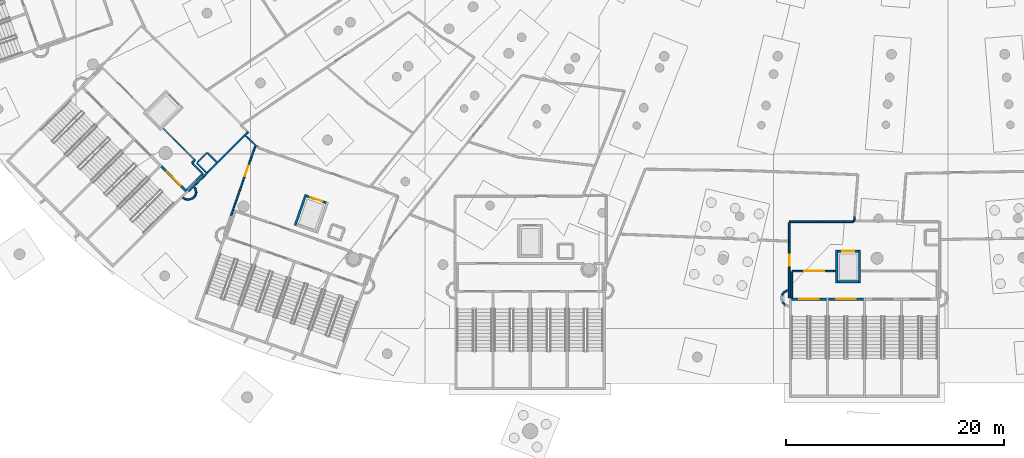
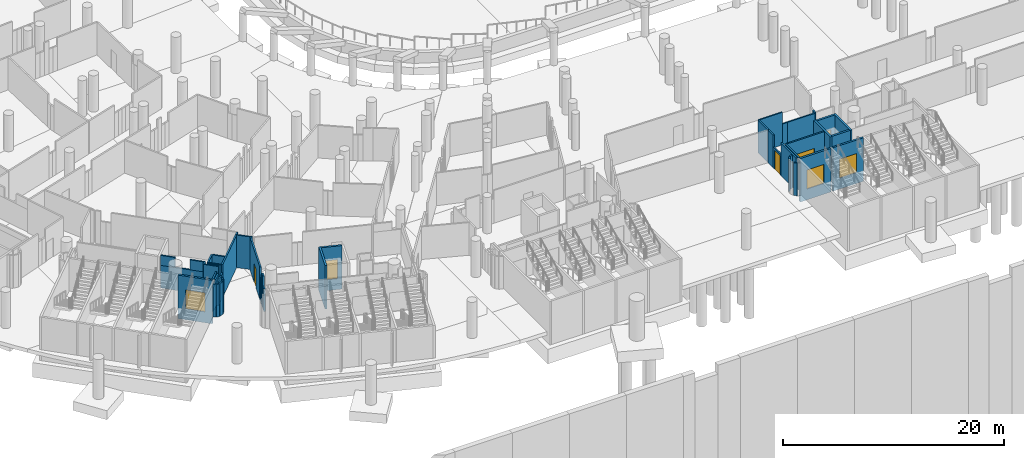
# One storey, part 40 of 142: 50 walls, 8 doors, 8 openings.
"""IFC4 building model written with IfcOpenShell, lengths in metres."""

import ifcopenshell
import ifcopenshell.guid

model = None  # the IFC model being written
_history = None  # IfcOwnerHistory: only IFC2X3 demands one
_inside = {}  # id of a spatial element -> (the spatial element, [elements in it])
_under = {}  # id of a project, library or spatial element -> (it, [spatial elements below it])
_declared = {}  # id of a project -> (the project, [libraries it declares])
_typed = {}  # id of a type object -> (the type object, [elements of that type])
_made_of = {}  # id of a material, layer set ... -> (it, [elements and type objects made of it])


def new_model(schema):
    """Start an empty IFC model of exactly this schema.

    Asked for "IFC4X3", IfcOpenShell would pick the latest addendum, in which some entities
    have other attributes; the version numbers below select the first issue.
    IFC2X3 requires an IfcOwnerHistory on every rooted entity: one is made here for all.
    """
    global model, _history
    if schema == "IFC4X3":
        model = ifcopenshell.file(schema_version=(4, 3, 0, 0))
    else:
        model = ifcopenshell.file(schema=schema)
    _inside.clear()
    _under.clear()
    _declared.clear()
    _typed.clear()
    _made_of.clear()
    _history = None
    if model.schema == "IFC2X3":
        org = make("IfcOrganization", Name="unknown")
        user = make(
            "IfcPersonAndOrganization",
            ThePerson=make("IfcPerson", FamilyName="unknown"),
            TheOrganization=org,
        )
        app = make(
            "IfcApplication",
            ApplicationDeveloper=org,
            Version="unknown",
            ApplicationFullName="unknown",
            ApplicationIdentifier="unknown",
        )
        _history = make(
            "IfcOwnerHistory",
            OwningUser=user,
            OwningApplication=app,
            ChangeAction="ADDED",
            CreationDate=0,
        )
    return model


def make(cls, **values):
    """One entity of the class cls with the attributes given. An attribute that is None is left unset."""
    return model.create_entity(
        cls, **{name: value for name, value in values.items() if value is not None}
    )


def rooted(cls, **values):
    """An entity with a GlobalId (a new one), such as an element, a storey or a relation."""
    return make(cls, GlobalId=ifcopenshell.guid.new(), OwnerHistory=_history, **values)


def si_unit(unit_type, name, prefix=None):
    """IfcSIUnit, for example si_unit("LENGTHUNIT", "METRE", prefix="MILLI")."""
    return make("IfcSIUnit", UnitType=unit_type, Prefix=prefix, Name=name)


def assignment(units):
    """IfcUnitAssignment: the units of a project."""
    return None if units is None else make("IfcUnitAssignment", Units=units)


def point(xyz):
    """IfcCartesianPoint."""
    return None if xyz is None else make("IfcCartesianPoint", Coordinates=xyz)


def direction(xyz):
    """IfcDirection."""
    return None if xyz is None else make("IfcDirection", DirectionRatios=xyz)


def frame(location, z_axis=None, x_axis=None):
    """IfcAxis2Placement3D, a coordinate frame: its origin and axes. An axis left out is left unset."""
    return make(
        "IfcAxis2Placement3D",
        Location=point(location),
        Axis=direction(z_axis),
        RefDirection=direction(x_axis),
    )


def frame_2d(location, x_axis=None):
    """IfcAxis2Placement2D, a coordinate frame in the plane: its origin and x axis."""
    return make(
        "IfcAxis2Placement2D", Location=point(location), RefDirection=direction(x_axis)
    )


def origin():
    """The frame at (0, 0, 0) with its axes left unset."""
    return frame((0.0, 0.0, 0.0))


def place(relative_to, where):
    """IfcLocalPlacement: puts the frame where relative to a parent placement (None: the world)."""
    return make(
        "IfcLocalPlacement", PlacementRelTo=relative_to, RelativePlacement=where
    )


def context(
    kind, dimensions, precision=None, world=None, true_north=None, identifier=None
):
    """IfcGeometricRepresentationContext, for example the 3D "Model" context."""
    return make(
        "IfcGeometricRepresentationContext",
        ContextIdentifier=identifier,
        ContextType=kind,
        CoordinateSpaceDimension=dimensions,
        Precision=precision,
        WorldCoordinateSystem=world,
        TrueNorth=true_north,
    )


def subcontext(parent, identifier, kind, view, scale=None):
    """IfcGeometricRepresentationSubContext, for example "Body" below "Model"."""
    return make(
        "IfcGeometricRepresentationSubContext",
        ContextIdentifier=identifier,
        ContextType=kind,
        ParentContext=parent,
        TargetScale=scale,
        TargetView=view,
    )


def project(units=None, contexts=None):
    """IfcProject with its units and contexts."""
    return rooted(
        "IfcProject",
        Name="project",
        RepresentationContexts=contexts,
        UnitsInContext=assignment(units),
    )


def spatial(cls, under=None, at=None, **own):
    """A site, building, storey or space (cls), placed at a placement, below another one or the project."""
    s = rooted(cls, ObjectPlacement=at, **own)
    if under is not None:
        _under.setdefault(under.id(), (under, []))[1].append(s)
    return s


def profile(cls, at=None, kind="AREA", **sizes):
    """A parametric profile (cls). Its sizes go by their IFC names, for example OverallWidth=200.0."""
    return make(cls, ProfileType=kind, Position=at, **sizes)


def rectangle(**sizes):
    """IfcRectangleProfileDef."""
    return profile("IfcRectangleProfileDef", **sizes)


def extrude(swept, where, along, depth):
    """IfcExtrudedAreaSolid: the profile swept, set in the frame where, extruded along a direction by depth."""
    return make(
        "IfcExtrudedAreaSolid",
        SweptArea=swept,
        Position=where,
        ExtrudedDirection=direction(along),
        Depth=depth,
    )


def shape(context_of_items, identifier, shape_type, items):
    """IfcShapeRepresentation: the items that make up one representation, for example the "Body"."""
    return make(
        "IfcShapeRepresentation",
        ContextOfItems=context_of_items,
        RepresentationIdentifier=identifier,
        RepresentationType=shape_type,
        Items=items,
    )


def material(Name=None, Category=None):
    """IfcMaterial."""
    return make("IfcMaterial", Name=Name, Category=Category)


def layer(
    of_material, thickness, ventilated=None, Name=None, Category=None, Priority=None
):
    """IfcMaterialLayer: one layer of a wall or slab, of a material (None: an air gap)."""
    return make(
        "IfcMaterialLayer",
        Material=of_material,
        LayerThickness=thickness,
        IsVentilated=ventilated,
        Name=Name,
        Category=Category,
        Priority=Priority,
    )


def layer_set(layers, Name=None):
    """IfcMaterialLayerSet."""
    return make("IfcMaterialLayerSet", MaterialLayers=layers, LayerSetName=Name)


def made_of(thing, what):
    """Note that an element or type object is made of a material, layer set ...; save() writes the relation."""
    if what is not None:
        _made_of.setdefault(what.id(), (what, []))[1].append(thing)
    return thing


def type_object(cls, material=None, **own):
    """A type object (cls), such as IfcWallType, which elements share."""
    return made_of(rooted(cls, **own), material)


def element(
    cls,
    number,
    at=None,
    inside=None,
    cuts=None,
    type_object=None,
    material=None,
    context=None,
    identifier="Body",
    shape_type=None,
    held_by="IfcProductDefinitionShape",
    body=None,
    shapes=None,
    **own,
):
    """One element of the class cls, such as IfcWall. Its Tag is "e" and its number.

    at: its placement. inside: the storey or other place that contains it. cuts: it is an
    opening in that element (IfcRelVoidsElement). A single representation is given by context,
    identifier, shape_type and body (its items); several are given by shapes. held_by: the class
    of the entity that holds the representations. save() writes the other relations.
    """
    e = rooted(cls, Tag="e%d" % number, ObjectPlacement=at, **own)
    if body is not None:
        shapes = [shape(context, identifier, shape_type, body)]
    if shapes is not None:
        e.Representation = make(held_by, Representations=shapes)
    if inside is not None:
        _inside.setdefault(inside.id(), (inside, []))[1].append(e)
    if cuts is not None:
        rooted(
            "IfcRelVoidsElement", RelatingBuildingElement=cuts, RelatedOpeningElement=e
        )
    if type_object is not None:
        _typed.setdefault(type_object.id(), (type_object, []))[1].append(e)
    return made_of(e, material)


def fill(opening, filler):
    """IfcRelFillsElement: the door or window that sits in an opening."""
    return rooted(
        "IfcRelFillsElement",
        RelatingOpeningElement=opening,
        RelatedBuildingElement=filler,
    )


def aggregate(whole, parts):
    """IfcRelAggregates: a whole, such as a stair, and the parts it consists of."""
    return rooted("IfcRelAggregates", RelatingObject=whole, RelatedObjects=parts)


def save(model, path):
    """Write the relations noted so far, then the file.

    IfcRelAggregates (storeys below a building ...), IfcRelContainedInSpatialStructure (elements
    in a storey), IfcRelDefinesByType, IfcRelAssociatesMaterial and IfcRelDeclares: one each for
    every whole, place, type object, material and project.
    """
    for whole, parts in _under.values():
        aggregate(whole, parts)
    for where, things in _inside.values():
        rooted(
            "IfcRelContainedInSpatialStructure",
            RelatedElements=things,
            RelatingStructure=where,
        )
    for kind, things in _typed.values():
        rooted("IfcRelDefinesByType", RelatedObjects=things, RelatingType=kind)
    for what, things in _made_of.values():
        rooted("IfcRelAssociatesMaterial", RelatedObjects=things, RelatingMaterial=what)
    for by, libraries in _declared.values():
        rooted("IfcRelDeclares", RelatingContext=by, RelatedDefinitions=libraries)
    model.write(path)


model = new_model("IFC4")

# Units and contexts
model_context = context("Model", 3, precision=1e-05, world=origin(), true_north=direction((0.0, 1.0)))
body_context = subcontext(model_context, "Body", "Model", "MODEL_VIEW")
ifc_project = project(units=[si_unit("LENGTHUNIT", "METRE"), si_unit("AREAUNIT", "SQUARE_METRE"), si_unit("VOLUMEUNIT", "CUBIC_METRE"), si_unit("PLANEANGLEUNIT", "RADIAN"), si_unit("MASSUNIT", "GRAM", prefix="KILO")], contexts=[model_context])

# Site, building, storey
site_placement = place(None, origin())
site = spatial("IfcSite", under=ifc_project, at=site_placement, CompositionType="ELEMENT")
building_placement = place(site_placement, origin())
building = spatial("IfcBuilding", under=site, at=building_placement, Name="Meseta Stadium", CompositionType="ELEMENT")
storey_placement = place(building_placement, frame((0.0, 0.0, -4.0)))
storey = spatial("IfcBuildingStorey", under=building, at=storey_placement, Name="B1", CompositionType="ELEMENT", Elevation=-4.0)

# Wall, opening, door
ifc_material_1 = material(Name="Concrete C40/50", Category="concrete")
ifc_layer_1 = layer(ifc_material_1, 0.199951171875)
ifc_layer_set_1 = layer_set([ifc_layer_1], Name="Core shaft wall 200")
wall_type_1 = type_object("IfcWallType", Name="Core shaft wall 200", PredefinedType="SHEAR", material=ifc_layer_set_1)
wall_1_placement = place(storey_placement, frame((-72.1630859375, -81.11279296875, -1.199951171875), z_axis=(0.0, 0.0, 1.0), x_axis=(0.707144925854, -0.707068634461, 0.0)))
wall_1 = element("IfcWall", 1, at=wall_1_placement, inside=storey, type_object=wall_type_1, Name="Core 21 B1 stair B2 inner end wall", PredefinedType="SHEAR", context=body_context, shape_type="SweptSolid", body=[
    extrude(rectangle(XDim=3.2001953125, YDim=0.199951171875, at=frame_2d((1.60009765625, 0.0))), origin(), (0.0, 0.0, 1.0), 4.800048828125),
])
opening_1_placement = place(wall_1_placement, frame((0.699951171875, 0.0, 1.199951171875)))
opening_1 = element("IfcOpeningElement", 2, at=opening_1_placement, cuts=wall_1, Name="Opening D284", PredefinedType="OPENING", context=body_context, shape_type="SweptSolid", body=[
    extrude(rectangle(XDim=1.800048828125, YDim=2.10009765625, at=frame_2d((0.89990234375, 1.050048828125))), frame((0.0, 0.10986328125, 0.0), z_axis=(0.0, -1.0, 0.0), x_axis=(1.0, 0.0, 0.0)), (0.0, 0.0, 1.0), 0.219970703125),
])
ifc_material_2 = material(Name="Steel", Category="steel")
door_type_1 = type_object("IfcDoorType", Name="Stair door 1800x2100", OperationType="DOUBLE_DOOR_SINGLE_SWING", PredefinedType="DOOR", material=ifc_material_2)
door_1_placement = place(opening_1_placement, origin())
door_1 = element("IfcDoor", 3, at=door_1_placement, inside=storey, type_object=door_type_1, Name="Stair B2 door 21 B1", OperationType="DOUBLE_DOOR_SINGLE_SWING", OverallHeight=2.10009765625, OverallWidth=1.800048828125, PredefinedType="DOOR", context=body_context, shape_type="SweptSolid", body=[
    extrude(rectangle(XDim=1.800048828125, YDim=2.10009765625, at=frame_2d((0.89990234375, 1.050048828125))), frame((0.0, 0.02490234375, 0.0), z_axis=(0.0, -1.0, 0.0), x_axis=(1.0, 0.0, 0.0)), (0.0, 0.0, 1.0), 0.050048828125),
])
fill(opening_1, door_1)

# Wall
wall_2_placement = place(storey_placement, frame((-59.896240234375, -86.53369140625, -1.199951171875), z_axis=(0.0, 0.0, 1.0), x_axis=(0.330328674497, 0.943865968666, 0.0)))
element("IfcWall", 4, at=wall_2_placement, inside=storey, type_object=wall_type_1, Name="Core 22 B1 lift shaft wall left", PredefinedType="SHEAR", context=body_context, shape_type="SweptSolid", body=[
    extrude(rectangle(XDim=3.0, YDim=0.199951171875, at=frame_2d((1.5, 0.0))), origin(), (0.0, 0.0, 1.0), 4.800048828125),
])

# Wall, opening, door
wall_3_placement = place(storey_placement, frame((-58.843994140625, -83.82958984375, -1.199951171875), z_axis=(0.0, 0.0, 1.0), x_axis=(0.943902418729, -0.330224505327, 0.0)))
wall_3 = element("IfcWall", 5, at=wall_3_placement, inside=storey, type_object=wall_type_1, Name="Core 22 B1 lift shaft front wall", PredefinedType="SHEAR", context=body_context, shape_type="SweptSolid", body=[
    extrude(rectangle(XDim=1.900146484375, YDim=0.199951171875, at=frame_2d((0.9501953125, 0.0))), origin(), (0.0, 0.0, 1.0), 4.800048828125),
])
opening_2_placement = place(wall_3_placement, frame((0.39990234375, 0.0, 1.199951171875)))
opening_2 = element("IfcOpeningElement", 6, at=opening_2_placement, cuts=wall_3, Name="Opening LD120", PredefinedType="OPENING", context=body_context, shape_type="SweptSolid", body=[
    extrude(rectangle(XDim=1.10009765625, YDim=2.10009765625, at=frame_2d((0.550048828125, 1.050048828125))), frame((0.0, 0.10986328125, 0.0), z_axis=(0.0, -1.0, 0.0), x_axis=(1.0, 0.0, 0.0)), (0.0, 0.0, 1.0), 0.219970703125),
])
ifc_material_3 = material(Name="Steel", Category="steel")
door_type_2 = type_object("IfcDoorType", Name="Lift landing door 1100x2100", OperationType="SLIDING_TO_LEFT", PredefinedType="DOOR", material=ifc_material_3)
door_2_placement = place(opening_2_placement, origin())
door_2 = element("IfcDoor", 7, at=door_2_placement, inside=storey, type_object=door_type_2, Name="Lift landing door LD120", OperationType="SLIDING_TO_RIGHT", OverallHeight=2.10009765625, OverallWidth=1.10009765625, PredefinedType="DOOR", context=body_context, shape_type="SweptSolid", body=[
    extrude(rectangle(XDim=1.10009765625, YDim=2.10009765625, at=frame_2d((0.550048828125, 1.050048828125))), frame((0.0, 0.02490234375, 0.0), z_axis=(0.0, -1.0, 0.0), x_axis=(1.0, 0.0, 0.0)), (0.0, 0.0, 1.0), 0.050048828125),
])
fill(opening_2, door_2)

wall_4_placement = place(storey_placement, frame((-14.36669921875, -93.300048828125, -1.199951171875), z_axis=(0.0, 0.0, 1.0), x_axis=(1.0, 0.0, 0.0)))
wall_4 = element("IfcWall", 8, at=wall_4_placement, inside=storey, type_object=wall_type_1, Name="Core 24 B1 stair A1 inner end wall", PredefinedType="SHEAR", context=body_context, shape_type="SweptSolid", body=[
    extrude(rectangle(XDim=3.199951171875, YDim=0.199951171875, at=frame_2d((1.60009765625, 0.0))), origin(), (0.0, 0.0, 1.0), 4.800048828125),
])
opening_3_placement = place(wall_4_placement, frame((0.699951171875, 0.0, 1.199951171875)))
opening_3 = element("IfcOpeningElement", 9, at=opening_3_placement, cuts=wall_4, Name="Opening D317", PredefinedType="OPENING", context=body_context, shape_type="SweptSolid", body=[
    extrude(rectangle(XDim=1.800048828125, YDim=2.10009765625, at=frame_2d((0.89990234375, 1.050048828125))), frame((0.0, 0.10986328125, 0.0), z_axis=(0.0, -1.0, 0.0), x_axis=(1.0, 0.0, 0.0)), (0.0, 0.0, 1.0), 0.219970703125),
])
door_3_placement = place(opening_3_placement, origin())
door_3 = element("IfcDoor", 10, at=door_3_placement, inside=storey, type_object=door_type_1, Name="Stair A1 door 24 B1", OperationType="DOUBLE_DOOR_SINGLE_SWING", OverallHeight=2.10009765625, OverallWidth=1.800048828125, PredefinedType="DOOR", context=body_context, shape_type="SweptSolid", body=[
    extrude(rectangle(XDim=1.800048828125, YDim=2.10009765625, at=frame_2d((0.89990234375, 1.050048828125))), frame((0.0, 0.02490234375, 0.0), z_axis=(0.0, -1.0, 0.0), x_axis=(1.0, 0.0, 0.0)), (0.0, 0.0, 1.0), 0.050048828125),
])
fill(opening_3, door_3)

wall_5_placement = place(storey_placement, frame((-10.966796875, -93.300048828125, -1.199951171875), z_axis=(0.0, 0.0, 1.0), x_axis=(1.0, 0.0, 0.0)))
wall_5 = element("IfcWall", 11, at=wall_5_placement, inside=storey, type_object=wall_type_1, Name="Core 24 B1 stair A2 inner end wall", PredefinedType="SHEAR", context=body_context, shape_type="SweptSolid", body=[
    extrude(rectangle(XDim=3.2001953125, YDim=0.199951171875, at=frame_2d((1.60009765625, 0.0))), origin(), (0.0, 0.0, 1.0), 4.800048828125),
])
opening_4_placement = place(wall_5_placement, frame((0.699951171875, 0.0, 1.199951171875)))
opening_4 = element("IfcOpeningElement", 12, at=opening_4_placement, cuts=wall_5, Name="Opening D318", PredefinedType="OPENING", context=body_context, shape_type="SweptSolid", body=[
    extrude(rectangle(XDim=1.800048828125, YDim=2.10009765625, at=frame_2d((0.89990234375, 1.050048828125))), frame((0.0, 0.10986328125, 0.0), z_axis=(0.0, -1.0, 0.0), x_axis=(1.0, 0.0, 0.0)), (0.0, 0.0, 1.0), 0.219970703125),
])
door_4_placement = place(opening_4_placement, origin())
door_4 = element("IfcDoor", 13, at=door_4_placement, inside=storey, type_object=door_type_1, Name="Stair A2 door 24 B1", OperationType="DOUBLE_DOOR_SINGLE_SWING", OverallHeight=2.10009765625, OverallWidth=1.800048828125, PredefinedType="DOOR", context=body_context, shape_type="SweptSolid", body=[
    extrude(rectangle(XDim=1.800048828125, YDim=2.10009765625, at=frame_2d((0.89990234375, 1.050048828125))), frame((0.0, 0.02490234375, 0.0), z_axis=(0.0, -1.0, 0.0), x_axis=(1.0, 0.0, 0.0)), (0.0, 0.0, 1.0), 0.050048828125),
])
fill(opening_4, door_4)

# Walls
for number, where, z_axis, x_axis, name in (
    (14, (-10.216796875, -91.800048828125, -1.199951171875), (0.0, 0.0, 1.0), (0.0, 1.0, 0.0), "Core 24 B1 lift shaft wall left"),
    (15, (-8.11669921875, -91.800048828125, -1.199951171875), (0.0, 0.0, 1.0), (0.0, 1.0, 0.0), "Core 24 B1 lift shaft wall right"),
):
    element("IfcWall", number, at=place(storey_placement, frame(where, z_axis=z_axis, x_axis=x_axis)), inside=storey, type_object=wall_type_1, Name=name, PredefinedType="SHEAR", context=body_context, shape_type="SweptSolid", body=[
        extrude(rectangle(XDim=3.0, YDim=0.199951171875, at=frame_2d((1.5, 0.0))), origin(), (0.0, 0.0, 1.0), 4.800048828125),
    ])
wall_6_placement = place(storey_placement, frame((-10.11669921875, -91.699951171875, -1.199951171875), z_axis=(0.0, 0.0, 1.0), x_axis=(1.0, 0.0, 0.0)))
element("IfcWall", 16, at=wall_6_placement, inside=storey, type_object=wall_type_1, Name="Core 24 B1 lift shaft back wall", PredefinedType="SHEAR", context=body_context, shape_type="SweptSolid", body=[
    extrude(rectangle(XDim=1.89990234375, YDim=0.199951171875, at=frame_2d((0.949951171875, 0.0))), origin(), (0.0, 0.0, 1.0), 4.800048828125),
])

# Wall, opening, door
wall_7_placement = place(storey_placement, frame((-10.11669921875, -88.89990234375, -1.199951171875), z_axis=(0.0, 0.0, 1.0), x_axis=(1.0, 0.0, 0.0)))
wall_7 = element("IfcWall", 17, at=wall_7_placement, inside=storey, type_object=wall_type_1, Name="Core 24 B1 lift shaft front wall", PredefinedType="SHEAR", context=body_context, shape_type="SweptSolid", body=[
    extrude(rectangle(XDim=1.89990234375, YDim=0.199951171875, at=frame_2d((0.949951171875, 0.0))), origin(), (0.0, 0.0, 1.0), 4.800048828125),
])
opening_5_placement = place(wall_7_placement, frame((0.39990234375, 0.0, 1.199951171875)))
opening_5 = element("IfcOpeningElement", 18, at=opening_5_placement, cuts=wall_7, Name="Opening LD129", PredefinedType="OPENING", context=body_context, shape_type="SweptSolid", body=[
    extrude(rectangle(XDim=1.10009765625, YDim=2.10009765625, at=frame_2d((0.550048828125, 1.050048828125))), frame((0.0, 0.10986328125, 0.0), z_axis=(0.0, -1.0, 0.0), x_axis=(1.0, 0.0, 0.0)), (0.0, 0.0, 1.0), 0.219970703125),
])
door_5_placement = place(opening_5_placement, origin())
door_5 = element("IfcDoor", 19, at=door_5_placement, inside=storey, type_object=door_type_2, Name="Lift landing door LD129", OperationType="SLIDING_TO_LEFT", OverallHeight=2.10009765625, OverallWidth=1.10009765625, PredefinedType="DOOR", context=body_context, shape_type="SweptSolid", body=[
    extrude(rectangle(XDim=1.10009765625, YDim=2.10009765625, at=frame_2d((0.550048828125, 1.050048828125))), frame((0.0, 0.02490234375, 0.0), z_axis=(0.0, -1.0, 0.0), x_axis=(1.0, 0.0, 0.0)), (0.0, 0.0, 1.0), 0.050048828125),
])
fill(opening_5, door_5)

# Walls
ifc_material_4 = material(Name="Masonry blockwork", Category="masonry")
ifc_layer_2 = layer(ifc_material_4, 0.14990234375)
ifc_layer_set_2 = layer_set([ifc_layer_2], Name="Partition 150")
wall_type_2 = type_object("IfcWallType", Name="Partition 150", PredefinedType="PARTITIONING", material=ifc_layer_set_2)
wall_8_placement = place(storey_placement, frame((-63.396240234375, -79.296630859375, 0.0), z_axis=(0.0, 0.0, 1.0), x_axis=(-0.725626624964, 0.688088657909, 0.0)))
element("IfcWall", 20, at=wall_8_placement, inside=storey, type_object=wall_type_2, Name="Partition B1 B1-cell20-2-0", PredefinedType="PARTITIONING", context=body_context, shape_type="SweptSolid", body=[
    extrude(rectangle(XDim=1.515380859375, YDim=0.14990234375, at=frame_2d((0.7578125, 0.0))), origin(), (0.0, 0.0, 1.0), 3.60009765625),
])
wall_9_placement = place(storey_placement, frame((-64.495849609375, -78.25390625, 0.0), z_axis=(0.0, 0.0, 1.0), x_axis=(0.706798874946, 0.707414553409, 0.0)))
element("IfcWall", 21, at=wall_9_placement, inside=storey, type_object=wall_type_2, Name="Partition B1 B1-cell20-2-0", PredefinedType="PARTITIONING", context=body_context, shape_type="SweptSolid", body=[
    extrude(rectangle(XDim=0.396484375, YDim=0.14990234375, at=frame_2d((0.1982421875, 0.0))), origin(), (0.0, 0.0, 1.0), 3.60009765625),
])
wall_10_placement = place(storey_placement, frame((-69.659912109375, -83.41796875, 0.0), z_axis=(0.0, 0.0, 1.0), x_axis=(0.706980568466, 0.707232971383, 0.0)))
element("IfcWall", 22, at=wall_10_placement, inside=storey, type_object=wall_type_2, Name="Partition B1 B1-cell20-3-0", PredefinedType="PARTITIONING", context=body_context, shape_type="SweptSolid", body=[
    extrude(rectangle(XDim=0.96728515625, YDim=0.14990234375, at=frame_2d((0.483642578125, 0.0))), origin(), (0.0, 0.0, 1.0), 3.60009765625),
])
wall_11_placement = place(storey_placement, frame((-68.97607421875, -82.73388671875, 0.0), z_axis=(0.0, 0.0, 1.0), x_axis=(0.707359184083, 0.706854288163, 0.0)))
element("IfcWall", 23, at=wall_11_placement, inside=storey, type_object=wall_type_2, Name="Partition B1 B1-cell20-3-0", PredefinedType="PARTITIONING", context=body_context, shape_type="SweptSolid", body=[
    extrude(rectangle(XDim=0.483642578125, YDim=0.14990234375, at=frame_2d((0.24169921875, 0.0))), origin(), (0.0, 0.0, 1.0), 2.699951171875),
])
wall_12_placement = place(storey_placement, frame((-68.634033203125, -82.39208984375, 0.0), z_axis=(0.0, 0.0, 1.0), x_axis=(0.707106781187, 0.707106781187, 0.0)))
element("IfcWall", 24, at=wall_12_placement, inside=storey, type_object=wall_type_2, Name="Partition B1 B1-cell20-3-0", PredefinedType="PARTITIONING", context=body_context, shape_type="SweptSolid", body=[
    extrude(rectangle(XDim=0.4833984375, YDim=0.14990234375, at=frame_2d((0.24169921875, 0.0))), origin(), (0.0, 0.0, 1.0), 2.699951171875),
])
wall_13_placement = place(storey_placement, frame((-68.292236328125, -82.05029296875, 0.0), z_axis=(0.0, 0.0, 1.0), x_axis=(0.707106781187, 0.707106781187, 0.0)))
element("IfcWall", 25, at=wall_13_placement, inside=storey, type_object=wall_type_2, Name="Partition B1 B1-cell20-3-0", PredefinedType="PARTITIONING", context=body_context, shape_type="SweptSolid", body=[
    extrude(rectangle(XDim=0.483642578125, YDim=0.14990234375, at=frame_2d((0.24169921875, 0.0))), origin(), (0.0, 0.0, 1.0), 2.699951171875),
])
wall_14_placement = place(storey_placement, frame((-67.9501953125, -81.708251953125, 0.0), z_axis=(0.0, 0.0, 1.0), x_axis=(0.707106781187, 0.707106781187, 0.0)))
element("IfcWall", 26, at=wall_14_placement, inside=storey, type_object=wall_type_2, Name="Partition B1 B1-cell20-3-0", PredefinedType="PARTITIONING", context=body_context, shape_type="SweptSolid", body=[
    extrude(rectangle(XDim=4.835205078125, YDim=0.14990234375, at=frame_2d((2.41748046875, 0.0))), origin(), (0.0, 0.0, 1.0), 3.60009765625),
])

# Wall, opening, door
wall_15_placement = place(storey_placement, frame((-63.53857421875, -79.230712890625, 0.0), z_axis=(0.0, 0.0, 1.0), x_axis=(-0.330262441411, -0.943889145924, 0.0)))
wall_15 = element("IfcWall", 27, at=wall_15_placement, inside=storey, type_object=wall_type_2, Name="Partition B1 B1-cell20-3-0", PredefinedType="PARTITIONING", context=body_context, shape_type="SweptSolid", body=[
    extrude(rectangle(XDim=4.820556640625, YDim=0.14990234375, at=frame_2d((2.41015625, 0.0))), origin(), (0.0, 0.0, 1.0), 3.60009765625),
])
opening_6_placement = place(wall_15_placement, frame((1.949951171875, 0.0, 0.0)))
opening_6 = element("IfcOpeningElement", 28, at=opening_6_placement, cuts=wall_15, Name="Opening D493", PredefinedType="OPENING", context=body_context, shape_type="SweptSolid", body=[
    extrude(rectangle(XDim=1.0, YDim=2.10009765625, at=frame_2d((0.5, 1.050048828125))), frame((0.0, 0.0849609375, 0.0), z_axis=(0.0, -1.0, 0.0), x_axis=(1.0, 0.0, 0.0)), (0.0, 0.0, 1.0), 0.169921875),
])
ifc_material_5 = material(Name="Steel", Category="steel")
door_type_3 = type_object("IfcDoorType", Name="Fire door 1000x2100 EI2 60", OperationType="NOTDEFINED", PredefinedType="DOOR", material=ifc_material_5)
door_6_placement = place(opening_6_placement, origin())
door_6 = element("IfcDoor", 29, at=door_6_placement, inside=storey, type_object=door_type_3, Name="Door D493", OperationType="SINGLE_SWING_LEFT", OverallHeight=2.10009765625, OverallWidth=1.0, PredefinedType="DOOR", context=body_context, shape_type="SweptSolid", body=[
    extrude(rectangle(XDim=1.0, YDim=2.10009765625, at=frame_2d((0.5, 1.050048828125))), frame((0.0, 0.02490234375, 0.0), z_axis=(0.0, -1.0, 0.0), x_axis=(1.0, 0.0, 0.0)), (0.0, 0.0, 1.0), 0.050048828125),
])
fill(opening_6, door_6)

# Walls
for number, where, z_axis, x_axis, name in (
    (30, (-65.130615234375, -83.78076171875, 0.0), (0.0, 0.0, 1.0), (-0.330169965897, -0.943921497594, 0.0), "Partition B1 B1-cell20-3-0"),
    (31, (-65.289794921875, -84.23583984375, 0.0), (0.0, 0.0, 1.0), (-0.330621045059, -0.943763595698, 0.0), "Partition B1 B1-cell20-3-0"),
):
    element("IfcWall", number, at=place(storey_placement, frame(where, z_axis=z_axis, x_axis=x_axis)), inside=storey, type_object=wall_type_2, Name=name, PredefinedType="PARTITIONING", context=body_context, shape_type="SweptSolid", body=[
        extrude(rectangle(XDim=0.482177734375, YDim=0.14990234375, at=frame_2d((0.2412109375, 0.0))), origin(), (0.0, 0.0, 1.0), 2.699951171875),
    ])
wall_16_placement = place(storey_placement, frame((-65.44921875, -84.69091796875, 0.0), z_axis=(0.0, 0.0, 1.0), x_axis=(-0.330327857248, -0.943866254681, 0.0)))
element("IfcWall", 32, at=wall_16_placement, inside=storey, type_object=wall_type_2, Name="Partition B1 B1-cell20-3-0", PredefinedType="PARTITIONING", context=body_context, shape_type="SweptSolid", body=[
    extrude(rectangle(XDim=0.48193359375, YDim=0.14990234375, at=frame_2d((0.240966796875, 0.0))), origin(), (0.0, 0.0, 1.0), 3.60009765625),
])
wall_17_placement = place(storey_placement, frame((-65.6083984375, -85.145751953125, 0.0), z_axis=(0.0, 0.0, 1.0), x_axis=(-0.330169965897, -0.943921497594, 0.0)))
element("IfcWall", 33, at=wall_17_placement, inside=storey, type_object=wall_type_2, Name="Partition B1 B1-cell20-3-0", PredefinedType="PARTITIONING", context=body_context, shape_type="SweptSolid", body=[
    extrude(rectangle(XDim=0.482177734375, YDim=0.14990234375, at=frame_2d((0.2412109375, 0.0))), origin(), (0.0, 0.0, 1.0), 2.5),
])
wall_18_placement = place(storey_placement, frame((-8.58154296875, -85.71923828125, 0.0), z_axis=(0.0, 0.0, 1.0), x_axis=(-0.078980538678, -0.996876158061, 0.0)))
element("IfcWall", 34, at=wall_18_placement, inside=storey, type_object=wall_type_2, Name="Partition B1 B1-cell22-1-0", PredefinedType="PARTITIONING", context=body_context, shape_type="SweptSolid", body=[
    extrude(rectangle(XDim=0.482177734375, YDim=0.14990234375, at=frame_2d((0.2412109375, 0.0))), origin(), (0.0, 0.0, 1.0), 2.300048828125),
])
wall_19_placement = place(storey_placement, frame((-8.69482421875, -86.199951171875, 0.0), z_axis=(0.0, 0.0, 1.0), x_axis=(-1.0, 0.0, 0.0)))
element("IfcWall", 35, at=wall_19_placement, inside=storey, type_object=wall_type_2, Name="Partition B1 B1-cell22-1-0", PredefinedType="PARTITIONING", context=body_context, shape_type="SweptSolid", body=[
    extrude(rectangle(XDim=2.898193359375, YDim=0.14990234375, at=frame_2d((1.44921875, 0.0))), origin(), (0.0, 0.0, 1.0), 2.300048828125),
])
wall_20_placement = place(storey_placement, frame((-11.593017578125, -86.199951171875, 0.0), z_axis=(0.0, 0.0, 1.0), x_axis=(-1.0, 0.0, 0.0)))
element("IfcWall", 36, at=wall_20_placement, inside=storey, type_object=wall_type_2, Name="Partition B1 B1-cell22-1-0", PredefinedType="PARTITIONING", context=body_context, shape_type="SweptSolid", body=[
    extrude(rectangle(XDim=0.49560546875, YDim=0.14990234375, at=frame_2d((0.247802734375, 0.0))), origin(), (0.0, 0.0, 1.0), 2.300048828125),
])
wall_21_placement = place(storey_placement, frame((-12.088623046875, -86.199951171875, 0.0), z_axis=(0.0, 0.0, 1.0), x_axis=(-1.0, 0.0, 0.0)))
element("IfcWall", 37, at=wall_21_placement, inside=storey, type_object=wall_type_2, Name="Partition B1 B1-cell22-1-0", PredefinedType="PARTITIONING", context=body_context, shape_type="SweptSolid", body=[
    extrude(rectangle(XDim=2.47802734375, YDim=0.14990234375, at=frame_2d((1.239013671875, 0.0))), origin(), (0.0, 0.0, 1.0), 3.60009765625),
])
wall_22_placement = place(storey_placement, frame((-14.566650390625, -86.27490234375, 0.0), z_axis=(0.0, 0.0, 1.0), x_axis=(0.0, -1.0, 0.0)))
element("IfcWall", 38, at=wall_22_placement, inside=storey, type_object=wall_type_2, Name="Partition B1 B1-cell22-1-0", PredefinedType="PARTITIONING", context=body_context, shape_type="SweptSolid", body=[
    extrude(rectangle(XDim=1.713623046875, YDim=0.14990234375, at=frame_2d((0.85693359375, 0.0))), origin(), (0.0, 0.0, 1.0), 3.60009765625),
])
wall_23_placement = place(storey_placement, frame((-14.566650390625, -88.03857421875, 0.0), z_axis=(0.0, 0.0, 1.0), x_axis=(0.0, -1.0, 0.0)))
element("IfcWall", 39, at=wall_23_placement, inside=storey, type_object=wall_type_2, Name="Partition B1 B1-cell22-2-0", PredefinedType="PARTITIONING", context=body_context, shape_type="SweptSolid", body=[
    extrude(rectangle(XDim=0.93115234375, YDim=0.14990234375, at=frame_2d((0.465576171875, 0.0))), origin(), (0.0, 0.0, 1.0), 3.60009765625),
])

# Wall, opening, door
wall_24_placement = place(storey_placement, frame((-14.566650390625, -88.9697265625, 0.0), z_axis=(0.0, 0.0, 1.0), x_axis=(0.0, -1.0, 0.0)))
wall_24 = element("IfcWall", 40, at=wall_24_placement, inside=storey, type_object=wall_type_2, Name="Partition B1 B1-cell22-2-0", PredefinedType="PARTITIONING", context=body_context, shape_type="SweptSolid", body=[
    extrude(rectangle(XDim=1.396728515625, YDim=0.14990234375, at=frame_2d((0.6982421875, 0.0))), origin(), (0.0, 0.0, 1.0), 2.300048828125),
])
opening_7_placement = place(wall_24_placement, frame((0.25, 0.0, 0.0)))
opening_7 = element("IfcOpeningElement", 41, at=opening_7_placement, cuts=wall_24, Name="Opening D498", PredefinedType="OPENING", context=body_context, shape_type="SweptSolid", body=[
    extrude(rectangle(XDim=1.0, YDim=2.10009765625, at=frame_2d((0.5, 1.050048828125))), frame((0.0, 0.0849609375, 0.0), z_axis=(0.0, -1.0, 0.0), x_axis=(1.0, 0.0, 0.0)), (0.0, 0.0, 1.0), 0.169921875),
])
door_7_placement = place(opening_7_placement, origin())
door_7 = element("IfcDoor", 42, at=door_7_placement, inside=storey, type_object=door_type_3, Name="Door D498", OperationType="SINGLE_SWING_LEFT", OverallHeight=2.10009765625, OverallWidth=1.0, PredefinedType="DOOR", context=body_context, shape_type="SweptSolid", body=[
    extrude(rectangle(XDim=1.0, YDim=2.10009765625, at=frame_2d((0.5, 1.050048828125))), frame((0.0, 0.02490234375, 0.0), z_axis=(0.0, -1.0, 0.0), x_axis=(1.0, 0.0, 0.0)), (0.0, 0.0, 1.0), 0.050048828125),
])
fill(opening_7, door_7)

# Walls
wall_25_placement = place(storey_placement, frame((-14.566650390625, -90.366455078125, 0.0), z_axis=(0.0, 0.0, 1.0), x_axis=(0.0, -1.0, 0.0)))
element("IfcWall", 43, at=wall_25_placement, inside=storey, type_object=wall_type_2, Name="Partition B1 B1-cell22-2-0", PredefinedType="PARTITIONING", context=body_context, shape_type="SweptSolid", body=[
    extrude(rectangle(XDim=2.79345703125, YDim=0.14990234375, at=frame_2d((1.396728515625, 0.0))), origin(), (0.0, 0.0, 1.0), 3.60009765625),
])
wall_26_placement = place(storey_placement, frame((-68.917724609375, -80.802001953125, 0.0), z_axis=(0.0, 0.0, 1.0), x_axis=(0.707106781187, -0.707106781187, 0.0)))
element("IfcWall", 44, at=wall_26_placement, inside=storey, type_object=wall_type_2, Name="Pressurisation shaft wall B1 core 21", PredefinedType="PARTITIONING", context=body_context, shape_type="SweptSolid", body=[
    extrude(rectangle(XDim=1.248779296875, YDim=0.14990234375, at=frame_2d((0.62451171875, 0.0))), origin(), (0.0, 0.0, 1.0), 3.60009765625),
])
wall_27_placement = place(storey_placement, frame((-67.080078125, -80.73046875, 0.0), z_axis=(0.0, 0.0, 1.0), x_axis=(-0.707106781187, 0.707106781187, 0.0)))
element("IfcWall", 45, at=wall_27_placement, inside=storey, type_object=wall_type_2, Name="Pressurisation shaft wall B1 core 21", PredefinedType="PARTITIONING", context=body_context, shape_type="SweptSolid", body=[
    extrude(rectangle(XDim=1.173828125, YDim=0.14990234375, at=frame_2d((0.5869140625, 0.0))), origin(), (0.0, 0.0, 1.0), 3.60009765625),
])
wall_28_placement = place(storey_placement, frame((-67.963134765625, -79.847412109375, 0.0), z_axis=(0.0, 0.0, 1.0), x_axis=(-0.707202523759, -0.707011025648, 0.0)))
element("IfcWall", 46, at=wall_28_placement, inside=storey, type_object=wall_type_2, Name="Pressurisation shaft wall B1 core 21", PredefinedType="PARTITIONING", context=body_context, shape_type="SweptSolid", body=[
    extrude(rectangle(XDim=1.27490234375, YDim=0.14990234375, at=frame_2d((0.637451171875, 0.0))), origin(), (0.0, 0.0, 1.0), 3.60009765625),
])
wall_29_placement = place(storey_placement, frame((-69.840087890625, -83.27978515625, 0.0), z_axis=(0.0, 0.0, 1.0), x_axis=(0.707164790685, 0.707048766929, 0.0)))
element("IfcWall", 47, at=wall_29_placement, inside=storey, type_object=wall_type_2, Name="Stair vestibule wall B1 core 21", PredefinedType="PARTITIONING", context=body_context, shape_type="SweptSolid", body=[
    extrude(rectangle(XDim=2.104248046875, YDim=0.14990234375, at=frame_2d((1.05224609375, 0.0))), origin(), (0.0, 0.0, 1.0), 2.699951171875),
])
wall_30_placement = place(storey_placement, frame((-69.840087890625, -83.27978515625, 2.699951171875), z_axis=(0.0, 0.0, 1.0), x_axis=(0.707203466327, 0.707010082825, 0.0)))
element("IfcWall", 48, at=wall_30_placement, inside=storey, type_object=wall_type_2, Name="Stair vestibule wall B1 core 21", PredefinedType="PARTITIONING", context=body_context, shape_type="SweptSolid", body=[
    extrude(rectangle(XDim=1.262451171875, YDim=0.14990234375, at=frame_2d((0.63134765625, 0.0))), origin(), (0.0, 0.0, 1.0), 0.900146484375),
])
wall_31_placement = place(storey_placement, frame((-68.35205078125, -81.7919921875, 0.0), z_axis=(0.0, 0.0, 1.0), x_axis=(-0.707019554051, 0.707193997563, 0.0)))
element("IfcWall", 49, at=wall_31_placement, inside=storey, type_object=wall_type_2, Name="Stair vestibule wall B1 core 21", PredefinedType="PARTITIONING", context=body_context, shape_type="SweptSolid", body=[
    extrude(rectangle(XDim=1.399658203125, YDim=0.14990234375, at=frame_2d((0.69970703125, 0.0))), origin(), (0.0, 0.0, 1.0), 3.60009765625),
])
wall_32_placement = place(storey_placement, frame((-69.341552734375, -80.80224609375, 0.0), z_axis=(0.0, 0.0, 1.0), x_axis=(0.705750875464, 0.708460091877, 0.0)))
element("IfcWall", 50, at=wall_32_placement, inside=storey, type_object=wall_type_2, Name="Stair vestibule wall B1 core 21", PredefinedType="PARTITIONING", context=body_context, shape_type="SweptSolid", body=[
    extrude(rectangle(XDim=0.3603515625, YDim=0.14990234375, at=frame_2d((0.18017578125, 0.0))), origin(), (0.0, 0.0, 1.0), 3.60009765625),
])
wall_33_placement = place(storey_placement, frame((-69.087158203125, -80.546875, 0.0), z_axis=(0.0, 0.0, 1.0), x_axis=(-0.707077113823, 0.707136447306, 0.0)))
element("IfcWall", 51, at=wall_33_placement, inside=storey, type_object=wall_type_2, Name="Stair vestibule wall B1 core 21", PredefinedType="PARTITIONING", context=body_context, shape_type="SweptSolid", body=[
    extrude(rectangle(XDim=4.11474609375, YDim=0.14990234375, at=frame_2d((2.057373046875, 0.0))), origin(), (0.0, 0.0, 1.0), 2.5),
])
for number, where, z_axis, x_axis, name in (
    (52, (-69.087158203125, -80.546875, 2.5), (0.0, 0.0, 1.0), (-0.707017775362, 0.707195775809, 0.0), "Stair vestibule wall B1 core 21"),
    (53, (-71.02685546875, -78.607177734375, 2.5), (0.0, 0.0, 1.0), (-0.707017775362, 0.707195775809, 0.0), "Stair vestibule wall B1 core 21"),
):
    element("IfcWall", number, at=place(storey_placement, frame(where, z_axis=z_axis, x_axis=x_axis)), inside=storey, type_object=wall_type_2, Name=name, PredefinedType="PARTITIONING", context=body_context, shape_type="SweptSolid", body=[
        extrude(rectangle(XDim=1.37158203125, YDim=0.14990234375, at=frame_2d((0.685791015625, 0.0))), origin(), (0.0, 0.0, 1.0), 1.10009765625),
    ])
wall_34_placement = place(storey_placement, frame((-70.18408203125, -83.982177734375, 0.0), z_axis=(0.0, 0.0, 1.0), x_axis=(0.850648487644, -0.525734867085, 0.0)))
element("IfcWall", 54, at=wall_34_placement, inside=storey, type_object=wall_type_2, Name="Stair vestibule wall B1 core 21", PredefinedType="PARTITIONING", context=body_context, shape_type="SweptSolid", body=[
    extrude(rectangle(XDim=0.2578125, YDim=0.14990234375, at=frame_2d((0.12890625, 0.0))), origin(), (0.0, 0.0, 1.0), 3.60009765625),
])
wall_35_placement = place(storey_placement, frame((-69.96484375, -84.11767578125, 0.0), z_axis=(0.0, 0.0, 1.0), x_axis=(0.9808082431, -0.194974845214, 0.0)))
element("IfcWall", 55, at=wall_35_placement, inside=storey, type_object=wall_type_2, Name="Stair vestibule wall B1 core 21", PredefinedType="PARTITIONING", context=body_context, shape_type="SweptSolid", body=[
    extrude(rectangle(XDim=0.2880859375, YDim=0.14990234375, at=frame_2d((0.14404296875, 0.0))), origin(), (0.0, 0.0, 1.0), 3.60009765625),
])
wall_36_placement = place(storey_placement, frame((-69.682373046875, -84.173828125, 0.0), z_axis=(0.0, 0.0, 1.0), x_axis=(0.941476660656, 0.337078177044, 0.0)))
element("IfcWall", 56, at=wall_36_placement, inside=storey, type_object=wall_type_2, Name="Stair vestibule wall B1 core 21", PredefinedType="PARTITIONING", context=body_context, shape_type="SweptSolid", body=[
    extrude(rectangle(XDim=0.4794921875, YDim=0.14990234375, at=frame_2d((0.23974609375, 0.0))), origin(), (0.0, 0.0, 1.0), 3.60009765625),
])
for number, where, z_axis, x_axis, name in (
    (57, (-69.23095703125, -84.01220703125, 0.0), (0.0, 0.0, 1.0), (0.634523472845, 0.772903591923, 0.0), "Stair vestibule wall B1 core 21"),
    (58, (-69.04736328125, -83.78857421875, 0.0), (0.0, 0.0, 1.0), (0.290288433444, 0.956939196296, 0.0), "Stair vestibule wall B1 core 21"),
):
    element("IfcWall", number, at=place(storey_placement, frame(where, z_axis=z_axis, x_axis=x_axis)), inside=storey, type_object=wall_type_2, Name=name, PredefinedType="PARTITIONING", context=body_context, shape_type="SweptSolid", body=[
        extrude(rectangle(XDim=0.289306640625, YDim=0.14990234375, at=frame_2d((0.14453125, 0.0))), origin(), (0.0, 0.0, 1.0), 3.60009765625),
    ])
wall_37_placement = place(storey_placement, frame((-68.96337890625, -83.51171875, 0.0), z_axis=(0.0, 0.0, 1.0), x_axis=(-0.244371491545, 0.969681687009, 0.0)))
element("IfcWall", 59, at=wall_37_placement, inside=storey, type_object=wall_type_2, Name="Stair vestibule wall B1 core 21", PredefinedType="PARTITIONING", context=body_context, shape_type="SweptSolid", body=[
    extrude(rectangle(XDim=0.50048828125, YDim=0.14990234375, at=frame_2d((0.250244140625, 0.0))), origin(), (0.0, 0.0, 1.0), 3.60009765625),
])
wall_38_placement = place(storey_placement, frame((-14.341796875, -90.760009765625, 0.0), z_axis=(0.0, 0.0, 1.0), x_axis=(0.0, -1.0, 0.0)))
element("IfcWall", 60, at=wall_38_placement, inside=storey, type_object=wall_type_2, Name="Stair vestibule wall B1 core 24", PredefinedType="PARTITIONING", context=body_context, shape_type="SweptSolid", body=[
    extrude(rectangle(XDim=2.429931640625, YDim=0.14990234375, at=frame_2d((1.21484375, 0.0))), origin(), (0.0, 0.0, 1.0), 3.60009765625),
])

# Wall, opening, door
wall_39_placement = place(storey_placement, frame((-10.32666015625, -90.72509765625, 0.0), z_axis=(0.0, 0.0, 1.0), x_axis=(-1.0, 0.0, 0.0)))
wall_39 = element("IfcWall", 61, at=wall_39_placement, inside=storey, type_object=wall_type_2, Name="Stair vestibule wall B1 core 24", PredefinedType="PARTITIONING", context=body_context, shape_type="SweptSolid", body=[
    extrude(rectangle(XDim=3.97998046875, YDim=0.14990234375, at=frame_2d((1.989990234375, 0.0))), origin(), (0.0, 0.0, 1.0), 3.60009765625),
])
opening_8_placement = place(wall_39_placement, frame((1.050048828125, 0.0, 0.0)))
opening_8 = element("IfcOpeningElement", 62, at=opening_8_placement, cuts=wall_39, Name="Opening D738", PredefinedType="OPENING", context=body_context, shape_type="SweptSolid", body=[
    extrude(rectangle(XDim=1.800048828125, YDim=2.10009765625, at=frame_2d((0.89990234375, 1.050048828125))), frame((0.0, 0.0849609375, 0.0), z_axis=(0.0, -1.0, 0.0), x_axis=(1.0, 0.0, 0.0)), (0.0, 0.0, 1.0), 0.169921875),
])
ifc_material_6 = material(Name="Steel", Category="steel")
door_type_4 = type_object("IfcDoorType", Name="Fire double door 1800x2100 EI2 60", OperationType="DOUBLE_DOOR_SINGLE_SWING", PredefinedType="DOOR", material=ifc_material_6)
door_8_placement = place(opening_8_placement, origin())
door_8 = element("IfcDoor", 63, at=door_8_placement, inside=storey, type_object=door_type_4, Name="Stair vestibule door B1 core 24", OperationType="DOUBLE_DOOR_SINGLE_SWING", OverallHeight=2.10009765625, OverallWidth=1.800048828125, PredefinedType="DOOR", context=body_context, shape_type="SweptSolid", body=[
    extrude(rectangle(XDim=1.800048828125, YDim=2.10009765625, at=frame_2d((0.89990234375, 1.050048828125))), frame((0.0, 0.02490234375, 0.0), z_axis=(0.0, -1.0, 0.0), x_axis=(1.0, 0.0, 0.0)), (0.0, 0.0, 1.0), 0.050048828125),
])
fill(opening_8, door_8)

# Walls
wall_40_placement = place(storey_placement, frame((-15.17138671875, -93.60400390625, 0.0), z_axis=(0.0, 0.0, 1.0), x_axis=(0.740598647482, -0.671947649261, 0.0)))
element("IfcWall", 64, at=wall_40_placement, inside=storey, type_object=wall_type_2, Name="Stair vestibule wall B1 core 24", PredefinedType="PARTITIONING", context=body_context, shape_type="SweptSolid", body=[
    extrude(rectangle(XDim=0.35205078125, YDim=0.14990234375, at=frame_2d((0.176025390625, 0.0))), origin(), (0.0, 0.0, 1.0), 3.60009765625),
])
wall_41_placement = place(storey_placement, frame((-14.6875, -92.477294921875, 0.0), z_axis=(0.0, 0.0, 1.0), x_axis=(-0.904686382363, -0.426078102661, 0.0)))
element("IfcWall", 65, at=wall_41_placement, inside=storey, type_object=wall_type_2, Name="Stair vestibule wall B1 core 24", PredefinedType="PARTITIONING", context=body_context, shape_type="SweptSolid", body=[
    extrude(rectangle(XDim=0.37646484375, YDim=0.14990234375, at=frame_2d((0.188232421875, 0.0))), origin(), (0.0, 0.0, 1.0), 3.60009765625),
])
wall_42_placement = place(storey_placement, frame((-15.028076171875, -92.6376953125, 0.0), z_axis=(0.0, 0.0, 1.0), x_axis=(-0.595507982628, -0.803349390132, 0.0)))
element("IfcWall", 66, at=wall_42_placement, inside=storey, type_object=wall_type_2, Name="Stair vestibule wall B1 core 24", PredefinedType="PARTITIONING", context=body_context, shape_type="SweptSolid", body=[
    extrude(rectangle(XDim=0.374755859375, YDim=0.14990234375, at=frame_2d((0.1875, 0.0))), origin(), (0.0, 0.0, 1.0), 3.60009765625),
])

save(model, "model.ifc")
